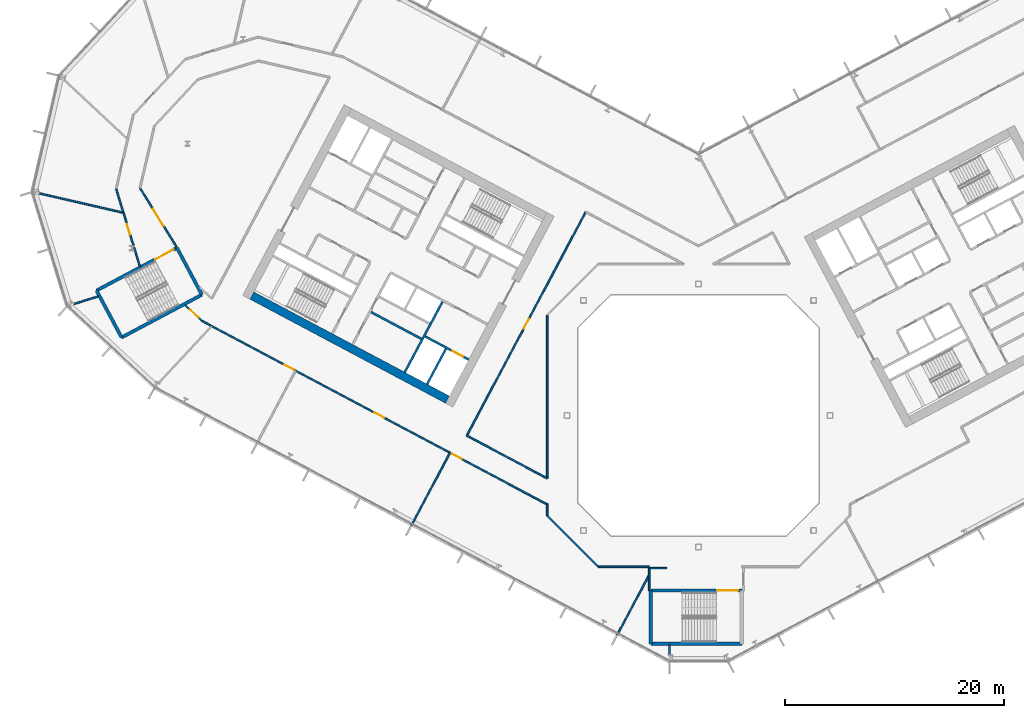
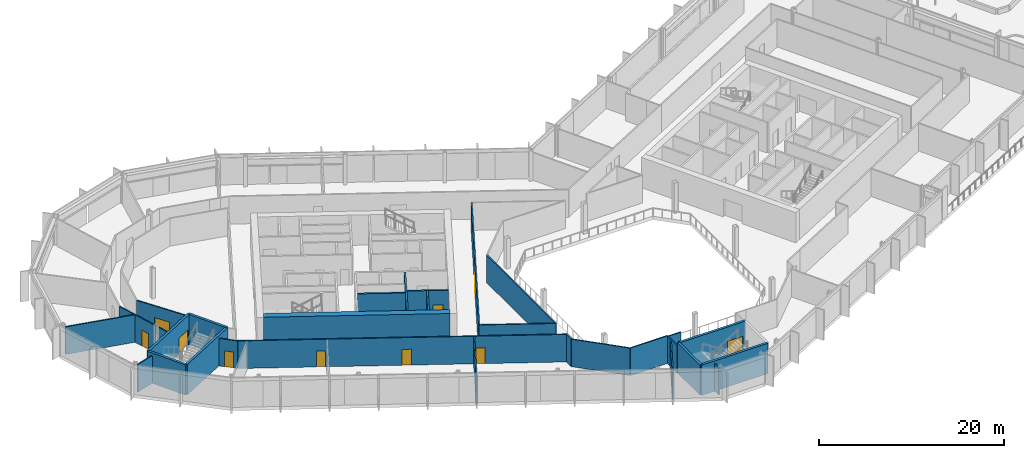
# One storey, part 17 of 34: 32 walls, 10 doors, 10 openings.
"""IFC4 building model written with IfcOpenShell, lengths in metres."""

from ifc_helpers import new_model, si_unit, direction, frame, frame_2d, origin, place, context, subcontext, project, spatial, rectangle, extrude, material, layer, layer_set, type_object, element, fill, save


model = new_model("IFC4")

# Units and contexts
model_context = context("Model", 3, precision=1e-05, world=origin(), true_north=direction((0.0, 1.0)))
body_context = subcontext(model_context, "Body", "Model", "MODEL_VIEW")
ifc_project = project(units=[si_unit("LENGTHUNIT", "METRE"), si_unit("AREAUNIT", "SQUARE_METRE"), si_unit("VOLUMEUNIT", "CUBIC_METRE"), si_unit("PLANEANGLEUNIT", "RADIAN"), si_unit("MASSUNIT", "GRAM", prefix="KILO")], contexts=[model_context])

# Site, building, storey
site_placement = place(None, origin())
site = spatial("IfcSite", under=ifc_project, at=site_placement, CompositionType="ELEMENT")
building_placement = place(site_placement, origin())
building = spatial("IfcBuilding", under=site, at=building_placement, Name="Cormorant Relay Tower", CompositionType="ELEMENT")
storey_placement = place(building_placement, frame((0.0, 0.0, 118.199951171875)))
storey = spatial("IfcBuildingStorey", under=building, at=storey_placement, Name="L23", CompositionType="ELEMENT", Elevation=118.199951171875)

# Walls
ifc_material_1 = material(Name="Concrete 40 MPa", Category="concrete")
ifc_layer_1 = layer(ifc_material_1, 0.199951171875)
ifc_layer_set_1 = layer_set([ifc_layer_1], Name="Core internal wall 200")
wall_type_1 = type_object("IfcWallType", Name="Core internal wall 200", PredefinedType="SOLIDWALL", material=ifc_layer_set_1)
wall_1_placement = place(storey_placement, frame((-25.279541015625, 6.985595703125, 0.0), z_axis=(0.0, 0.0, 1.0), x_axis=(-0.882934506056, 0.469496174655, 0.0)))
element("IfcWall", 1, at=wall_1_placement, inside=storey, type_object=wall_type_1, Name="L23 core A shaft and room wall", PredefinedType="SOLIDWALL", context=body_context, shape_type="SweptSolid", body=[
    extrude(rectangle(XDim=5.199951171875, YDim=0.199951171875, at=frame_2d((2.60009765625, 0.0))), origin(), (0.0, 0.0, 1.0), 4.0),
])
ifc_material_2 = material(Name="Concrete 50 MPa", Category="concrete")
ifc_layer_2 = layer(ifc_material_2, 0.199951171875)
ifc_layer_set_2 = layer_set([ifc_layer_2], Name="Core shaft wall 200")
wall_type_2 = type_object("IfcWallType", Name="Core shaft wall 200", PredefinedType="SHEAR", material=ifc_layer_set_2)
wall_2_placement = place(storey_placement, frame((-23.04296875, 6.07958984375, 0.0), z_axis=(0.0, 0.0, 1.0), x_axis=(-0.469494272526, -0.882935517501, 0.0)))
element("IfcWall", 2, at=wall_2_placement, inside=storey, type_object=wall_type_2, Name="L23 core A shaft wall", PredefinedType="SHEAR", context=body_context, shape_type="SweptSolid", body=[
    extrude(rectangle(XDim=3.64990234375, YDim=0.199951171875, at=frame_2d((1.824951171875, 0.0))), origin(), (0.0, 0.0, 1.0), 4.0),
])
wall_3_placement = place(storey_placement, frame((-23.360107421875, 10.38232421875, 0.0), z_axis=(0.0, 0.0, 1.0), x_axis=(-0.469480409012, -0.88294288918, 0.0)))
element("IfcWall", 3, at=wall_3_placement, inside=storey, type_object=wall_type_2, Name="L23 core A shaft wall", PredefinedType="SHEAR", context=body_context, shape_type="SweptSolid", body=[
    extrude(rectangle(XDim=7.300048828125, YDim=0.199951171875, at=frame_2d((3.64990234375, 0.0))), origin(), (0.0, 0.0, 1.0), 4.0),
])

# Wall, opening, door
wall_4_placement = place(storey_placement, frame((-20.96533203125, 5.088134765625, 0.0), z_axis=(0.0, 0.0, 1.0), x_axis=(-0.882925986334, 0.469512196493, 0.0)))
wall_4 = element("IfcWall", 4, at=wall_4_placement, inside=storey, type_object=wall_type_2, Name="L23 core A shaft wall", PredefinedType="SHEAR", context=body_context, shape_type="SweptSolid", body=[
    extrude(rectangle(XDim=4.5, YDim=0.199951171875, at=frame_2d((2.25, 0.0))), origin(), (0.0, 0.0, 1.0), 4.0),
])
opening_1_placement = place(wall_4_placement, frame((0.60009765625, 0.0, 0.0)))
opening_1 = element("IfcOpeningElement", 5, at=opening_1_placement, cuts=wall_4, Name="Opening LD1-043", PredefinedType="OPENING", context=body_context, shape_type="SweptSolid", body=[
    extrude(rectangle(XDim=1.10009765625, YDim=2.10009765625, at=frame_2d((0.550048828125, 1.050048828125))), frame((0.0, 0.10986328125, 0.0), z_axis=(0.0, -1.0, 0.0), x_axis=(1.0, 0.0, 0.0)), (0.0, 0.0, 1.0), 0.219970703125),
])
ifc_material_3 = material(Name="Stainless steel 316", Category="steel")
door_type_1 = type_object("IfcDoorType", Name="Lift landing door 1100x2100", OperationType="DOUBLE_DOOR_SLIDING", PredefinedType="DOOR", material=ifc_material_3)
door_1_placement = place(opening_1_placement, origin())
door_1 = element("IfcDoor", 6, at=door_1_placement, inside=storey, type_object=door_type_1, Name="FF1 landing door", OperationType="DOUBLE_DOOR_SLIDING", OverallHeight=2.10009765625, OverallWidth=1.10009765625, PredefinedType="DOOR", context=body_context, shape_type="SweptSolid", body=[
    extrude(rectangle(XDim=1.10009765625, YDim=2.10009765625, at=frame_2d((0.550048828125, 1.050048828125))), frame((0.0, 0.02490234375, 0.0), z_axis=(0.0, -1.0, 0.0), x_axis=(1.0, 0.0, 0.0)), (0.0, 0.0, 1.0), 0.050048828125),
])
fill(opening_1, door_1)

# Walls
ifc_material_4 = material(Name="Concrete 60 MPa", Category="concrete")
ifc_layer_3 = layer(ifc_material_4, 0.75)
ifc_layer_set_3 = layer_set([ifc_layer_3], Name="Core wall 750")
wall_type_3 = type_object("IfcWallType", Name="Core wall 750", PredefinedType="SHEAR", material=ifc_layer_set_3)
wall_5_placement = place(storey_placement, frame((-22.90185546875, 1.446044921875, 0.0), z_axis=(0.0, 0.0, 1.0), x_axis=(-0.88294509198, 0.469476266226, 0.0)))
element("IfcWall", 7, at=wall_5_placement, inside=storey, type_object=wall_type_3, Name="L23 core A wall", PredefinedType="SHEAR", context=body_context, shape_type="SweptSolid", body=[
    extrude(rectangle(XDim=20.199951171875, YDim=0.75, at=frame_2d((10.10009765625, 0.0))), origin(), (0.0, 0.0, 1.0), 4.0),
])
ifc_material_5 = material(Name="Gypsum board fire partition")
ifc_layer_4 = layer(ifc_material_5, 0.14990234375)
ifc_layer_set_4 = layer_set([ifc_layer_4], Name="Corridor partition 150 EI 60")
wall_type_4 = type_object("IfcWallType", Name="Corridor partition 150 EI 60", PredefinedType="PARTITIONING", material=ifc_layer_set_4)
wall_6_placement = place(storey_placement, frame((-53.114990234375, 20.658935546875, 0.0), z_axis=(0.0, 0.0, 1.0), x_axis=(0.292062202153, -0.956399325634, 0.0)))
element("IfcWall", 8, at=wall_6_placement, inside=storey, type_object=wall_type_4, Name="wall/L23/part/005", PredefinedType="PARTITIONING", context=body_context, shape_type="SweptSolid", body=[
    extrude(rectangle(XDim=2.221923828125, YDim=0.14990234375, at=frame_2d((1.11083984375, 0.0))), origin(), (0.0, 0.0, 1.0), 3.64013671875),
])
wall_7_placement = place(storey_placement, frame((-50.958984375, 13.60400390625, 0.0), z_axis=(0.0, 0.0, 1.0), x_axis=(-0.292326826569, 0.95631847544, 0.0)))
element("IfcWall", 9, at=wall_7_placement, inside=storey, type_object=wall_type_4, Name="wall/L23/part/006", PredefinedType="PARTITIONING", context=body_context, shape_type="SweptSolid", body=[
    extrude(rectangle(XDim=1.775634765625, YDim=0.14990234375, at=frame_2d((0.8876953125, 0.0))), origin(), (0.0, 0.0, 1.0), 3.64013671875),
])

# Wall, opening, door
wall_8_placement = place(storey_placement, frame((-51.534912109375, 15.489990234375, 0.0), z_axis=(0.0, 0.0, 1.0), x_axis=(-0.292522494411, 0.956258641929, 0.0)))
wall_8 = element("IfcWall", 10, at=wall_8_placement, inside=storey, type_object=wall_type_4, Name="wall/L23/part/007", PredefinedType="PARTITIONING", context=body_context, shape_type="SweptSolid", body=[
    extrude(rectangle(XDim=3.18310546875, YDim=0.14990234375, at=frame_2d((1.591552734375, 0.0))), origin(), (0.0, 0.0, 1.0), 3.64013671875),
])
opening_2_placement = place(wall_8_placement, frame((1.050048828125, 0.0, 0.0)))
opening_2 = element("IfcOpeningElement", 11, at=opening_2_placement, cuts=wall_8, Name="Opening DS-012", PredefinedType="OPENING", context=body_context, shape_type="SweptSolid", body=[
    extrude(rectangle(XDim=1.0, YDim=2.10009765625, at=frame_2d((0.5, 1.050048828125))), frame((0.0, 0.0849609375, 0.0), z_axis=(0.0, -1.0, 0.0), x_axis=(1.0, 0.0, 0.0)), (0.0, 0.0, 1.0), 0.169921875),
])
ifc_material_6 = material(Name="Timber door leaf", Category="wood")
door_type_2 = type_object("IfcDoorType", Name="Suite door 1000x2100", OperationType="SINGLE_SWING_LEFT", PredefinedType="DOOR", material=ifc_material_6)
door_2_placement = place(opening_2_placement, origin())
door_2 = element("IfcDoor", 12, at=door_2_placement, inside=storey, type_object=door_type_2, Name="door/L23/016", OperationType="SINGLE_SWING_LEFT", OverallHeight=2.10009765625, OverallWidth=1.0, PredefinedType="DOOR", context=body_context, shape_type="SweptSolid", body=[
    extrude(rectangle(XDim=1.0, YDim=2.10009765625, at=frame_2d((0.5, 1.050048828125))), frame((0.0, 0.02490234375, 0.0), z_axis=(0.0, -1.0, 0.0), x_axis=(1.0, 0.0, 0.0)), (0.0, 0.0, 1.0), 0.050048828125),
])
fill(opening_2, door_2)

wall_9_placement = place(storey_placement, frame((-47.617919921875, 15.37890625, 0.0), z_axis=(0.0, 0.0, 1.0), x_axis=(-0.527298267237, 0.849680255961, 0.0)))
wall_9 = element("IfcWall", 13, at=wall_9_placement, inside=storey, type_object=wall_type_4, Name="wall/L23/part/015", PredefinedType="PARTITIONING", context=body_context, shape_type="SweptSolid", body=[
    extrude(rectangle(XDim=6.3037109375, YDim=0.14990234375, at=frame_2d((3.15185546875, 0.0))), origin(), (0.0, 0.0, 1.0), 3.64013671875),
])
opening_3_placement = place(wall_9_placement, frame((2.25, 0.0, 0.0)))
opening_3 = element("IfcOpeningElement", 14, at=opening_3_placement, cuts=wall_9, Name="Opening DD-001", PredefinedType="OPENING", context=body_context, shape_type="SweptSolid", body=[
    extrude(rectangle(XDim=1.800048828125, YDim=2.10009765625, at=frame_2d((0.89990234375, 1.050048828125))), frame((0.0, 0.0849609375, 0.0), z_axis=(0.0, -1.0, 0.0), x_axis=(1.0, 0.0, 0.0)), (0.0, 0.0, 1.0), 0.169921875),
])
ifc_material_7 = material(Name="Timber door leaf", Category="wood")
door_type_3 = type_object("IfcDoorType", Name="Suite double door 1800x2100", OperationType="DOUBLE_DOOR_SINGLE_SWING", PredefinedType="DOOR", material=ifc_material_7)
door_3_placement = place(opening_3_placement, frame((1.800048828125, 0.0, 0.0), z_axis=(0.0, 0.0, 1.0), x_axis=(-1.0, 0.0, 0.0)))
door_3 = element("IfcDoor", 15, at=door_3_placement, inside=storey, type_object=door_type_3, Name="door/L23/001", OperationType="DOUBLE_DOOR_SINGLE_SWING", OverallHeight=2.10009765625, OverallWidth=1.800048828125, PredefinedType="DOOR", context=body_context, shape_type="SweptSolid", body=[
    extrude(rectangle(XDim=1.800048828125, YDim=2.10009765625, at=frame_2d((0.89990234375, 1.050048828125))), frame((0.0, 0.02490234375, 0.0), z_axis=(0.0, -1.0, 0.0), x_axis=(1.0, 0.0, 0.0)), (0.0, 0.0, 1.0), 0.050048828125),
])
fill(opening_3, door_3)

# Wall
wall_10_placement = place(storey_placement, frame((-44.4619140625, 8.180908203125, 0.0), z_axis=(0.0, 0.0, 1.0), x_axis=(-0.882750253305, 0.469842516478, 0.0)))
element("IfcWall", 16, at=wall_10_placement, inside=storey, type_object=wall_type_4, Name="wall/L23/part/022", PredefinedType="PARTITIONING", context=body_context, shape_type="SweptSolid", body=[
    extrude(rectangle(XDim=0.934814453125, YDim=0.14990234375, at=frame_2d((0.46728515625, 0.0))), origin(), (0.0, 0.0, 1.0), 3.64013671875),
])

# Wall, opening, door
wall_11_placement = place(storey_placement, frame((-45.287109375, 8.6201171875, 0.0), z_axis=(0.0, 0.0, 1.0), x_axis=(-0.731593637228, 0.681740969846, 0.0)))
wall_11 = element("IfcWall", 17, at=wall_11_placement, inside=storey, type_object=wall_type_4, Name="wall/L23/part/023", PredefinedType="PARTITIONING", context=body_context, shape_type="SweptSolid", body=[
    extrude(rectangle(XDim=2.12548828125, YDim=0.14990234375, at=frame_2d((1.062744140625, 0.0))), origin(), (0.0, 0.0, 1.0), 3.64013671875),
])
opening_4_placement = place(wall_11_placement, frame((0.449951171875, 0.0, 0.0)))
opening_4 = element("IfcOpeningElement", 18, at=opening_4_placement, cuts=wall_11, Name="Opening DS-013", PredefinedType="OPENING", context=body_context, shape_type="SweptSolid", body=[
    extrude(rectangle(XDim=1.0, YDim=2.10009765625, at=frame_2d((0.5, 1.050048828125))), frame((0.0, 0.0849609375, 0.0), z_axis=(0.0, -1.0, 0.0), x_axis=(1.0, 0.0, 0.0)), (0.0, 0.0, 1.0), 0.169921875),
])
door_4_placement = place(opening_4_placement, origin())
door_4 = element("IfcDoor", 19, at=door_4_placement, inside=storey, type_object=door_type_2, Name="door/L23/017", OperationType="SINGLE_SWING_RIGHT", OverallHeight=2.10009765625, OverallWidth=1.0, PredefinedType="DOOR", context=body_context, shape_type="SweptSolid", body=[
    extrude(rectangle(XDim=1.0, YDim=2.10009765625, at=frame_2d((0.5, 1.050048828125))), frame((0.0, 0.02490234375, 0.0), z_axis=(0.0, -1.0, 0.0), x_axis=(1.0, 0.0, 0.0)), (0.0, 0.0, 1.0), 0.050048828125),
])
fill(opening_4, door_4)

# Wall, openings, doors
wall_12_placement = place(storey_placement, frame((-13.800048828125, -8.1220703125, 0.0), z_axis=(0.0, 0.0, 1.0), x_axis=(-0.882950271686, 0.469466524611, 0.0)))
wall_12 = element("IfcWall", 20, at=wall_12_placement, inside=storey, type_object=wall_type_4, Name="wall/L23/part/024", PredefinedType="PARTITIONING", context=body_context, shape_type="SweptSolid", body=[
    extrude(rectangle(XDim=34.7265625, YDim=0.14990234375, at=frame_2d((17.36328125, 0.0))), origin(), (0.0, 0.0, 1.0), 3.64013671875),
])
opening_5_placement = place(wall_12_placement, frame((26.14990234375, 0.0, 0.0)))
opening_5 = element("IfcOpeningElement", 21, at=opening_5_placement, cuts=wall_12, Name="Opening DS-014", PredefinedType="OPENING", context=body_context, shape_type="SweptSolid", body=[
    extrude(rectangle(XDim=1.0, YDim=2.10009765625, at=frame_2d((0.5, 1.050048828125))), frame((0.0, 0.0849609375, 0.0), z_axis=(0.0, -1.0, 0.0), x_axis=(1.0, 0.0, 0.0)), (0.0, 0.0, 1.0), 0.169921875),
])
opening_6_placement = place(wall_12_placement, frame((16.85009765625, 0.0, 0.0)))
opening_6 = element("IfcOpeningElement", 22, at=opening_6_placement, cuts=wall_12, Name="Opening DS-015", PredefinedType="OPENING", context=body_context, shape_type="SweptSolid", body=[
    extrude(rectangle(XDim=1.0, YDim=2.10009765625, at=frame_2d((0.5, 1.050048828125))), frame((0.0, 0.0849609375, 0.0), z_axis=(0.0, -1.0, 0.0), x_axis=(1.0, 0.0, 0.0)), (0.0, 0.0, 1.0), 0.169921875),
])
opening_7_placement = place(wall_12_placement, frame((8.85107421875, 0.0, 0.0)))
opening_7 = element("IfcOpeningElement", 23, at=opening_7_placement, cuts=wall_12, Name="Opening DS-016", PredefinedType="OPENING", context=body_context, shape_type="SweptSolid", body=[
    extrude(rectangle(XDim=1.0, YDim=2.10009765625, at=frame_2d((0.5, 1.050048828125))), frame((0.0, 0.0849609375, 0.0), z_axis=(0.0, -1.0, 0.0), x_axis=(1.0, 0.0, 0.0)), (0.0, 0.0, 1.0), 0.169921875),
])
door_5_placement = place(opening_5_placement, origin())
door_5 = element("IfcDoor", 24, at=door_5_placement, inside=storey, type_object=door_type_2, Name="door/L23/018", OperationType="SINGLE_SWING_LEFT", OverallHeight=2.10009765625, OverallWidth=1.0, PredefinedType="DOOR", context=body_context, shape_type="SweptSolid", body=[
    extrude(rectangle(XDim=1.0, YDim=2.10009765625, at=frame_2d((0.5, 1.050048828125))), frame((0.0, 0.02490234375, 0.0), z_axis=(0.0, -1.0, 0.0), x_axis=(1.0, 0.0, 0.0)), (0.0, 0.0, 1.0), 0.050048828125),
])
fill(opening_5, door_5)
door_6_placement = place(opening_6_placement, origin())
door_6 = element("IfcDoor", 25, at=door_6_placement, inside=storey, type_object=door_type_2, Name="door/L23/019", OperationType="SINGLE_SWING_LEFT", OverallHeight=2.10009765625, OverallWidth=1.0, PredefinedType="DOOR", context=body_context, shape_type="SweptSolid", body=[
    extrude(rectangle(XDim=1.0, YDim=2.10009765625, at=frame_2d((0.5, 1.050048828125))), frame((0.0, 0.02490234375, 0.0), z_axis=(0.0, -1.0, 0.0), x_axis=(1.0, 0.0, 0.0)), (0.0, 0.0, 1.0), 0.050048828125),
])
fill(opening_6, door_6)
door_7_placement = place(opening_7_placement, origin())
door_7 = element("IfcDoor", 26, at=door_7_placement, inside=storey, type_object=door_type_2, Name="door/L23/020", OperationType="SINGLE_SWING_RIGHT", OverallHeight=2.10009765625, OverallWidth=1.0, PredefinedType="DOOR", context=body_context, shape_type="SweptSolid", body=[
    extrude(rectangle(XDim=1.0, YDim=2.10009765625, at=frame_2d((0.5, 1.050048828125))), frame((0.0, 0.02490234375, 0.0), z_axis=(0.0, -1.0, 0.0), x_axis=(1.0, 0.0, 0.0)), (0.0, 0.0, 1.0), 0.050048828125),
])
fill(opening_7, door_7)

# Walls
wall_13_placement = place(storey_placement, frame((-4.489990234375, -13.800048828125, 0.0), z_axis=(0.0, 0.0, 1.0), x_axis=(-1.0, 0.0, 0.0)))
element("IfcWall", 27, at=wall_13_placement, inside=storey, type_object=wall_type_4, Name="wall/L23/part/037", PredefinedType="PARTITIONING", context=body_context, shape_type="SweptSolid", body=[
    extrude(rectangle(XDim=4.669921875, YDim=0.14990234375, at=frame_2d((2.3349609375, 0.0))), origin(), (0.0, 0.0, 1.0), 3.64013671875),
])
wall_14_placement = place(storey_placement, frame((-9.159912109375, -13.800048828125, 0.0), z_axis=(0.0, 0.0, 1.0), x_axis=(-0.707106781187, 0.707106781187, 0.0)))
element("IfcWall", 28, at=wall_14_placement, inside=storey, type_object=wall_type_4, Name="wall/L23/part/038", PredefinedType="PARTITIONING", context=body_context, shape_type="SweptSolid", body=[
    extrude(rectangle(XDim=6.562255859375, YDim=0.14990234375, at=frame_2d((3.28125, 0.0))), origin(), (0.0, 0.0, 1.0), 3.64013671875),
])
wall_15_placement = place(storey_placement, frame((-13.800048828125, -9.159912109375, 0.0), z_axis=(0.0, 0.0, 1.0), x_axis=(0.0, 1.0, 0.0)))
element("IfcWall", 29, at=wall_15_placement, inside=storey, type_object=wall_type_4, Name="wall/L23/part/039", PredefinedType="PARTITIONING", context=body_context, shape_type="SweptSolid", body=[
    extrude(rectangle(XDim=1.087890625, YDim=0.14990234375, at=frame_2d((0.5439453125, 0.0))), origin(), (0.0, 0.0, 1.0), 3.64013671875),
])
wall_16_placement = place(storey_placement, frame((-4.5, -13.926025390625, 0.0), z_axis=(0.0, 0.0, 1.0), x_axis=(0.0, -1.0, 0.0)))
element("IfcWall", 30, at=wall_16_placement, inside=storey, type_object=wall_type_4, Name="wall/L23/part/041", PredefinedType="PARTITIONING", context=body_context, shape_type="SweptSolid", body=[
    extrude(rectangle(XDim=2.049072265625, YDim=0.14990234375, at=frame_2d((1.0244140625, 0.0))), origin(), (0.0, 0.0, 1.0), 3.64013671875),
])
wall_17_placement = place(storey_placement, frame((-4.489990234375, -13.925048828125, 0.0), z_axis=(0.0, 0.0, 1.0), x_axis=(1.0, 0.0, 0.0)))
element("IfcWall", 31, at=wall_17_placement, inside=storey, type_object=wall_type_4, Name="wall/L23/part/042", PredefinedType="PARTITIONING", context=body_context, shape_type="SweptSolid", body=[
    extrude(rectangle(XDim=1.60400390625, YDim=0.14990234375, at=frame_2d((0.802001953125, 0.0))), origin(), (0.0, 0.0, 1.0), 3.64013671875),
])

# Wall, opening, door
wall_18_placement = place(storey_placement, frame((-21.138916015625, -1.841064453125, 0.0), z_axis=(0.0, 0.0, 1.0), x_axis=(0.46947923089, 0.882943515613, 0.0)))
wall_18 = element("IfcWall", 32, at=wall_18_placement, inside=storey, type_object=wall_type_4, Name="wall/L23/part/074", PredefinedType="PARTITIONING", context=body_context, shape_type="SweptSolid", body=[
    extrude(rectangle(XDim=23.10009765625, YDim=0.14990234375, at=frame_2d((11.550048828125, 0.0))), origin(), (0.0, 0.0, 1.0), 3.64013671875),
])
opening_8_placement = place(wall_18_placement, frame((11.050048828125, 0.0, 0.0)))
opening_8 = element("IfcOpeningElement", 33, at=opening_8_placement, cuts=wall_18, Name="Opening DS-001", PredefinedType="OPENING", context=body_context, shape_type="SweptSolid", body=[
    extrude(rectangle(XDim=1.0, YDim=2.10009765625, at=frame_2d((0.5, 1.050048828125))), frame((0.0, 0.0849609375, 0.0), z_axis=(0.0, -1.0, 0.0), x_axis=(1.0, 0.0, 0.0)), (0.0, 0.0, 1.0), 0.169921875),
])
door_8_placement = place(opening_8_placement, frame((1.0, 0.0, 0.0), z_axis=(0.0, 0.0, 1.0), x_axis=(-1.0, 0.0, 0.0)))
door_8 = element("IfcDoor", 34, at=door_8_placement, inside=storey, type_object=door_type_2, Name="door/L23/002", OperationType="SINGLE_SWING_LEFT", OverallHeight=2.10009765625, OverallWidth=1.0, PredefinedType="DOOR", context=body_context, shape_type="SweptSolid", body=[
    extrude(rectangle(XDim=1.0, YDim=2.10009765625, at=frame_2d((0.5, 1.050048828125))), frame((0.0, 0.02490234375, 0.0), z_axis=(0.0, -1.0, 0.0), x_axis=(1.0, 0.0, 0.0)), (0.0, 0.0, 1.0), 0.050048828125),
])
fill(opening_8, door_8)

# Walls
wall_19_placement = place(storey_placement, frame((-13.800048828125, 9.159912109375, 0.0), z_axis=(0.0, 0.0, 1.0), x_axis=(0.0, -1.0, 0.0)))
element("IfcWall", 35, at=wall_19_placement, inside=storey, type_object=wall_type_4, Name="wall/L23/part/078", PredefinedType="PARTITIONING", context=body_context, shape_type="SweptSolid", body=[
    extrude(rectangle(XDim=14.90380859375, YDim=0.14990234375, at=frame_2d((7.451904296875, 0.0))), origin(), (0.0, 0.0, 1.0), 3.64013671875),
])
wall_20_placement = place(storey_placement, frame((-13.800048828125, -5.743896484375, 0.0), z_axis=(0.0, 0.0, 1.0), x_axis=(-0.882913323819, 0.469536007803, 0.0)))
element("IfcWall", 36, at=wall_20_placement, inside=storey, type_object=wall_type_4, Name="wall/L23/part/079", PredefinedType="PARTITIONING", context=body_context, shape_type="SweptSolid", body=[
    extrude(rectangle(XDim=8.31201171875, YDim=0.14990234375, at=frame_2d((4.156005859375, 0.0))), origin(), (0.0, 0.0, 1.0), 3.64013671875),
])
ifc_material_8 = material(Name="Concrete 50 MPa", Category="concrete")
ifc_layer_5 = layer(ifc_material_8, 0.300048828125)
ifc_layer_set_5 = layer_set([ifc_layer_5], Name="Remote stair wall 300")
wall_type_5 = type_object("IfcWallType", Name="Remote stair wall 300", PredefinedType="SHEAR", material=ifc_layer_set_5)
wall_21_placement = place(storey_placement, frame((3.949951171875, -20.824951171875, 0.0), z_axis=(0.0, 0.0, 1.0), x_axis=(-1.0, 0.0, 0.0)))
element("IfcWall", 37, at=wall_21_placement, inside=storey, type_object=wall_type_5, Name="L23 exit stair RK1 wall", PredefinedType="SHEAR", context=body_context, shape_type="SweptSolid", body=[
    extrude(rectangle(XDim=8.300048828125, YDim=0.300048828125, at=frame_2d((4.14990234375, 0.0))), origin(), (0.0, 0.0, 1.0), 4.0),
])
wall_22_placement = place(storey_placement, frame((-4.35009765625, -20.824951171875, 0.0), z_axis=(0.0, 0.0, 1.0), x_axis=(0.0, 1.0, 0.0)))
element("IfcWall", 38, at=wall_22_placement, inside=storey, type_object=wall_type_5, Name="L23 exit stair RK1 wall", PredefinedType="SHEAR", context=body_context, shape_type="SweptSolid", body=[
    extrude(rectangle(XDim=4.849853515625, YDim=0.300048828125, at=frame_2d((2.4248046875, 0.0))), origin(), (0.0, 0.0, 1.0), 4.0),
])

# Wall, opening, door
wall_23_placement = place(storey_placement, frame((-4.35009765625, -15.97509765625, 0.0), z_axis=(0.0, 0.0, 1.0), x_axis=(1.0, 0.0, 0.0)))
wall_23 = element("IfcWall", 39, at=wall_23_placement, inside=storey, type_object=wall_type_5, Name="L23 exit stair RK1 wall", PredefinedType="SHEAR", context=body_context, shape_type="SweptSolid", body=[
    extrude(rectangle(XDim=8.300048828125, YDim=0.300048828125, at=frame_2d((4.14990234375, 0.0))), origin(), (0.0, 0.0, 1.0), 4.0),
])
opening_9_placement = place(wall_23_placement, frame((6.050048828125, 0.0, 0.0)))
opening_9 = element("IfcOpeningElement", 40, at=opening_9_placement, cuts=wall_23, Name="Opening CDE-012", PredefinedType="OPENING", context=body_context, shape_type="SweptSolid", body=[
    extrude(rectangle(XDim=1.89990234375, YDim=2.10009765625, at=frame_2d((0.949951171875, 1.050048828125))), frame((0.0, 0.159912109375, 0.0), z_axis=(0.0, -1.0, 0.0), x_axis=(1.0, 0.0, 0.0)), (0.0, 0.0, 1.0), 0.320068359375),
])
ifc_material_9 = material(Name="Steel fire door", Category="steel")
door_type_4 = type_object("IfcDoorType", Name="Remote stair door 1900x2100", OperationType="DOUBLE_DOOR_SINGLE_SWING", PredefinedType="DOOR", material=ifc_material_9)
door_9_placement = place(opening_9_placement, frame((1.89990234375, 0.0, 0.0), z_axis=(0.0, 0.0, 1.0), x_axis=(-1.0, 0.0, 0.0)))
door_9 = element("IfcDoor", 41, at=door_9_placement, inside=storey, type_object=door_type_4, Name="Exit stair RK1 door", OperationType="DOUBLE_DOOR_SINGLE_SWING", OverallHeight=2.10009765625, OverallWidth=1.89990234375, PredefinedType="DOOR", context=body_context, shape_type="SweptSolid", body=[
    extrude(rectangle(XDim=1.89990234375, YDim=2.10009765625, at=frame_2d((0.949951171875, 1.050048828125))), frame((0.0, 0.02490234375, 0.0), z_axis=(0.0, -1.0, 0.0), x_axis=(1.0, 0.0, 0.0)), (0.0, 0.0, 1.0), 0.050048828125),
])
fill(opening_9, door_9)

# Walls
wall_24_placement = place(storey_placement, frame((-47.57421875, 15.28955078125, 0.0), z_axis=(0.0, 0.0, 1.0), x_axis=(0.469443498566, -0.882962514297, 0.0)))
element("IfcWall", 42, at=wall_24_placement, inside=storey, type_object=wall_type_5, Name="L23 exit stair RP1 wall", PredefinedType="SHEAR", context=body_context, shape_type="SweptSolid", body=[
    extrude(rectangle(XDim=4.85009765625, YDim=0.300048828125, at=frame_2d((2.425048828125, 0.0))), origin(), (0.0, 0.0, 1.0), 4.0),
])
wall_25_placement = place(storey_placement, frame((-45.29736328125, 11.007080078125, 0.0), z_axis=(0.0, 0.0, 1.0), x_axis=(-0.882951519127, -0.469464178475, 0.0)))
element("IfcWall", 43, at=wall_25_placement, inside=storey, type_object=wall_type_5, Name="L23 exit stair RP1 wall", PredefinedType="SHEAR", context=body_context, shape_type="SweptSolid", body=[
    extrude(rectangle(XDim=8.2998046875, YDim=0.300048828125, at=frame_2d((4.14990234375, 0.0))), origin(), (0.0, 0.0, 1.0), 4.0),
])
wall_26_placement = place(storey_placement, frame((-52.625732421875, 7.110595703125, 0.0), z_axis=(0.0, 0.0, 1.0), x_axis=(-0.469464364128, 0.882951420416, 0.0)))
element("IfcWall", 44, at=wall_26_placement, inside=storey, type_object=wall_type_5, Name="L23 exit stair RP1 wall", PredefinedType="SHEAR", context=body_context, shape_type="SweptSolid", body=[
    extrude(rectangle(XDim=4.849853515625, YDim=0.300048828125, at=frame_2d((2.4248046875, 0.0))), origin(), (0.0, 0.0, 1.0), 4.0),
])

# Wall, opening, door
wall_27_placement = place(storey_placement, frame((-54.902587890625, 11.392822265625, 0.0), z_axis=(0.0, 0.0, 1.0), x_axis=(0.882939326045, 0.469487110071, 0.0)))
wall_27 = element("IfcWall", 45, at=wall_27_placement, inside=storey, type_object=wall_type_5, Name="L23 exit stair RP1 wall", PredefinedType="SHEAR", context=body_context, shape_type="SweptSolid", body=[
    extrude(rectangle(XDim=8.300048828125, YDim=0.300048828125, at=frame_2d((4.14990234375, 0.0))), origin(), (0.0, 0.0, 1.0), 4.0),
])
opening_10_placement = place(wall_27_placement, frame((6.050048828125, 0.0, 0.0)))
opening_10 = element("IfcOpeningElement", 46, at=opening_10_placement, cuts=wall_27, Name="Opening CDE-013", PredefinedType="OPENING", context=body_context, shape_type="SweptSolid", body=[
    extrude(rectangle(XDim=1.89990234375, YDim=2.10009765625, at=frame_2d((0.949951171875, 1.050048828125))), frame((0.0, 0.159912109375, 0.0), z_axis=(0.0, -1.0, 0.0), x_axis=(1.0, 0.0, 0.0)), (0.0, 0.0, 1.0), 0.320068359375),
])
door_10_placement = place(opening_10_placement, frame((1.89990234375, 0.0, 0.0), z_axis=(0.0, 0.0, 1.0), x_axis=(-1.0, 0.0, 0.0)))
door_10 = element("IfcDoor", 47, at=door_10_placement, inside=storey, type_object=door_type_4, Name="Exit stair RP1 door", OperationType="DOUBLE_DOOR_SINGLE_SWING", OverallHeight=2.10009765625, OverallWidth=1.89990234375, PredefinedType="DOOR", context=body_context, shape_type="SweptSolid", body=[
    extrude(rectangle(XDim=1.89990234375, YDim=2.10009765625, at=frame_2d((0.949951171875, 1.050048828125))), frame((0.0, 0.02490234375, 0.0), z_axis=(0.0, -1.0, 0.0), x_axis=(1.0, 0.0, 0.0)), (0.0, 0.0, 1.0), 0.050048828125),
])
fill(opening_10, door_10)

# Walls
ifc_material_10 = material(Name="Gypsum board partition")
ifc_layer_6 = layer(ifc_material_10, 0.14990234375)
ifc_layer_set_6 = layer_set([ifc_layer_6], Name="Tenant partition 150")
wall_type_6 = type_object("IfcWallType", Name="Tenant partition 150", PredefinedType="PARTITIONING", material=ifc_layer_set_6)
wall_28_placement = place(storey_placement, frame((-52.449951171875, 18.48388671875, 0.0), z_axis=(0.0, 0.0, 1.0), x_axis=(-0.974348948829, 0.225042498023, 0.0)))
element("IfcWall", 48, at=wall_28_placement, inside=storey, type_object=wall_type_6, Name="wall/L23/part/001", PredefinedType="PARTITIONING", context=body_context, shape_type="SweptSolid", body=[
    extrude(rectangle(XDim=7.892333984375, YDim=0.14990234375, at=frame_2d((3.9462890625, 0.0))), origin(), (0.0, 0.0, 1.0), 3.64013671875),
])
wall_29_placement = place(storey_placement, frame((-54.73193359375, 10.85693359375, 0.0), z_axis=(0.0, 0.0, 1.0), x_axis=(-0.956196980242, -0.292723991119, 0.0)))
element("IfcWall", 49, at=wall_29_placement, inside=storey, type_object=wall_type_6, Name="wall/L23/part/003", PredefinedType="PARTITIONING", context=body_context, shape_type="SweptSolid", body=[
    extrude(rectangle(XDim=2.343505859375, YDim=0.14990234375, at=frame_2d((1.171875, 0.0))), origin(), (0.0, 0.0, 1.0), 3.64013671875),
])
wall_30_placement = place(storey_placement, frame((-22.669921875, -3.406005859375, 0.0), z_axis=(0.0, 0.0, 1.0), x_axis=(-0.469451537303, -0.882958240306, 0.0)))
element("IfcWall", 50, at=wall_30_placement, inside=storey, type_object=wall_type_6, Name="wall/L23/part/029", PredefinedType="PARTITIONING", context=body_context, shape_type="SweptSolid", body=[
    extrude(rectangle(XDim=7.549560546875, YDim=0.14990234375, at=frame_2d((3.77490234375, 0.0))), origin(), (0.0, 0.0, 1.0), 3.64013671875),
])
wall_31_placement = place(storey_placement, frame((-4.5, -14.532958984375, 0.0), z_axis=(0.0, 0.0, 1.0), x_axis=(-0.469522352041, -0.882920585859, 0.0)))
element("IfcWall", 51, at=wall_31_placement, inside=storey, type_object=wall_type_6, Name="wall/L23/part/040", PredefinedType="PARTITIONING", context=body_context, shape_type="SweptSolid", body=[
    extrude(rectangle(XDim=6.25537109375, YDim=0.14990234375, at=frame_2d((3.127685546875, 0.0))), origin(), (0.0, 0.0, 1.0), 3.64013671875),
])
wall_32_placement = place(storey_placement, frame((-2.64892578125, -21.827880859375, 0.0), z_axis=(0.0, 0.0, 1.0), x_axis=(0.0, 1.0, 0.0)))
element("IfcWall", 52, at=wall_32_placement, inside=storey, type_object=wall_type_6, Name="wall/L23/part/043", PredefinedType="PARTITIONING", context=body_context, shape_type="SweptSolid", body=[
    extrude(rectangle(XDim=0.90283203125, YDim=0.14990234375, at=frame_2d((0.451416015625, 0.0))), origin(), (0.0, 0.0, 1.0), 3.64013671875),
])

save(model, "model.ifc")
